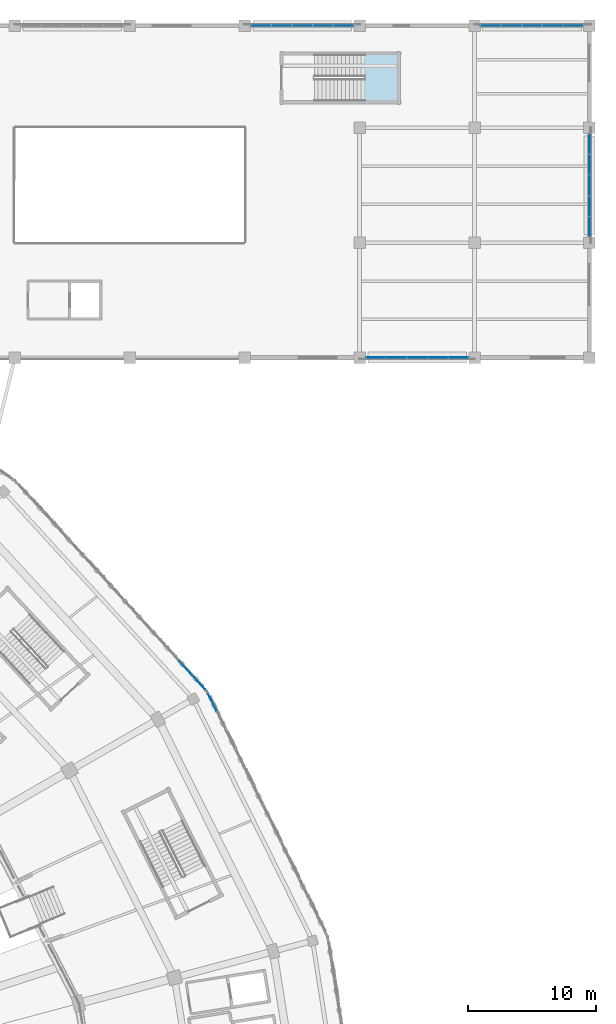
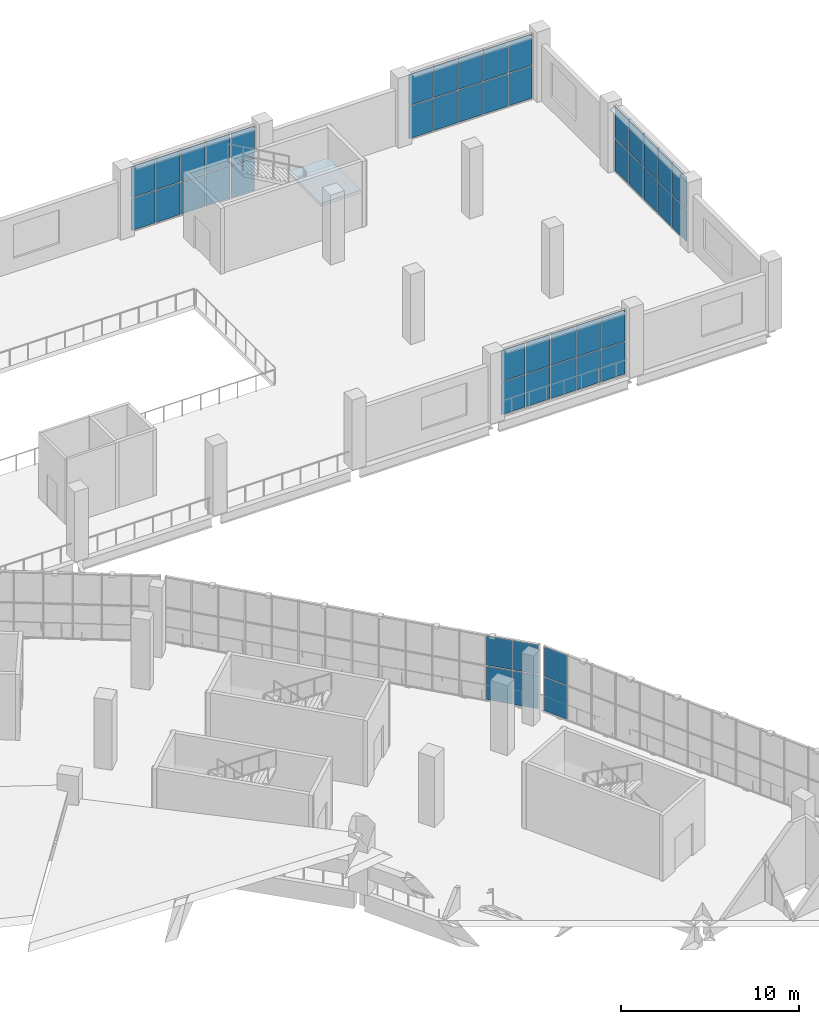
# One storey, part 96 of 183: 46 plates, 1 slab, 7 elements without a shape of their own.
"""IFC4 building model written with IfcOpenShell, lengths in metres."""

from ifc_helpers import new_model, si_unit, direction, frame, origin, origin_2d, place, context, subcontext, project, spatial, polyline, rectangle, outline, extrude, material, layer, layer_set, type_object, element, aggregate, save


model = new_model("IFC4")

# Units and contexts
model_context = context("Model", 3, precision=1e-05, world=origin(), true_north=direction((0.0, 1.0)))
body_context = subcontext(model_context, "Body", "Model", "MODEL_VIEW")
ifc_project = project(units=[si_unit("LENGTHUNIT", "METRE"), si_unit("AREAUNIT", "SQUARE_METRE"), si_unit("VOLUMEUNIT", "CUBIC_METRE"), si_unit("PLANEANGLEUNIT", "RADIAN"), si_unit("MASSUNIT", "GRAM", prefix="KILO")], contexts=[model_context])

# Site, building, storey
site_placement = place(None, origin())
site = spatial("IfcSite", under=ifc_project, at=site_placement, CompositionType="ELEMENT")
building_placement = place(site_placement, origin())
building = spatial("IfcBuilding", under=site, at=building_placement, Name="Zevraka Park Crest Stadium", CompositionType="ELEMENT")
storey_placement = place(building_placement, frame((0.0, 0.0, 5.39990234375)))
storey = spatial("IfcBuildingStorey", under=building, at=storey_placement, Name="L01", CompositionType="ELEMENT", Elevation=5.39990234375)

# Curtain wall, plates
ifc_material_1 = material(Name="Anodised architectural aluminium and laminated safety glass", Category="aluminium")
curtain_wall_type_1 = type_object("IfcCurtainWallType", Name="CW02", PredefinedType="NOTDEFINED", material=ifc_material_1)
curtain_wall_1_placement = place(storey_placement, origin())
curtain_wall_1 = element("IfcCurtainWall", 1, at=curtain_wall_1_placement, inside=storey, type_object=curtain_wall_type_1, Name="Unitised Ring Curtain Wall CW02 L01-01", PredefinedType="NOTDEFINED")
ifc_material_2 = material(Name="Solar-control laminated double glazing", Category="glass")
ifc_layer_1 = layer(ifc_material_2, 0.028076171875)
ifc_layer_set_1 = layer_set([ifc_layer_1], Name="Solar-control laminated double glazing")
plate_type_1 = type_object("IfcPlateType", Name="CP02", PredefinedType="CURTAIN_PANEL", material=ifc_layer_set_1)
plate_1_placement = place(storey_placement, frame((194.45556640625, 130.993896484375, 0.06494140625), z_axis=(0.0, 0.0, 1.0), x_axis=(-0.44151730924, 0.897252732312, 0.0)))
plate_1 = element("IfcPlate", 2, at=plate_1_placement, type_object=plate_type_1, Name="CW02 panel 13.1", PredefinedType="CURTAIN_PANEL", context=body_context, shape_type="SweptSolid", body=[
    extrude(rectangle(XDim=1.531005859375, YDim=0.028076171875, at=origin_2d()), origin(), (0.0, 0.0, 1.0), 2.302490234375),
])
plate_2_placement = place(storey_placement, frame((194.45556640625, 130.993896484375, 2.4326171875), z_axis=(0.0, 0.0, 1.0), x_axis=(-0.44151730924, 0.897252732312, 0.0)))
plate_2 = element("IfcPlate", 3, at=plate_2_placement, type_object=plate_type_1, Name="CW02 panel 13.2", PredefinedType="CURTAIN_PANEL", context=body_context, shape_type="SweptSolid", body=[
    extrude(rectangle(XDim=1.531005859375, YDim=0.028076171875, at=origin_2d()), origin(), (0.0, 0.0, 1.0), 2.0224609375),
])
aggregate(curtain_wall_1, [plate_1, plate_2])

ifc_material_3 = material(Name="Anodised architectural aluminium and laminated safety glass", Category="aluminium")
curtain_wall_type_2 = type_object("IfcCurtainWallType", Name="CW03", PredefinedType="NOTDEFINED", material=ifc_material_3)
curtain_wall_2_placement = place(storey_placement, origin())
curtain_wall_2 = element("IfcCurtainWall", 4, at=curtain_wall_2_placement, inside=storey, type_object=curtain_wall_type_2, Name="Unitised Ring Curtain Wall CW03 L01-02", PredefinedType="NOTDEFINED")
ifc_material_4 = material(Name="Solar-control laminated double glazing", Category="glass")
ifc_layer_2 = layer(ifc_material_4, 0.028076171875)
ifc_layer_set_2 = layer_set([ifc_layer_2], Name="Solar-control laminated double glazing")
plate_type_2 = type_object("IfcPlateType", Name="CP03", PredefinedType="CURTAIN_PANEL", material=ifc_layer_set_2)
plate_3_placement = place(storey_placement, frame((193.40283203125, 132.5458984375, 0.070068359375), z_axis=(0.0, 0.0, 1.0), x_axis=(-0.673679672672, 0.739023476371, 0.0)))
plate_3 = element("IfcPlate", 5, at=plate_3_placement, type_object=plate_type_2, Name="CW03 panel 1.1", PredefinedType="CURTAIN_PANEL", context=body_context, shape_type="SweptSolid", body=[
    extrude(rectangle(XDim=1.472412109375, YDim=0.028076171875, at=origin_2d()), origin(), (0.0, 0.0, 1.0), 2.294921875),
])
plate_4_placement = place(storey_placement, frame((193.40283203125, 132.5458984375, 2.43505859375), z_axis=(0.0, 0.0, 1.0), x_axis=(-0.673679672672, 0.739023476371, 0.0)))
plate_4 = element("IfcPlate", 6, at=plate_4_placement, type_object=plate_type_2, Name="CW03 panel 1.2", PredefinedType="CURTAIN_PANEL", context=body_context, shape_type="SweptSolid", body=[
    extrude(rectangle(XDim=1.472412109375, YDim=0.028076171875, at=origin_2d()), origin(), (0.0, 0.0, 1.0), 2.014892578125),
])
plate_5_placement = place(storey_placement, frame((192.35205078125, 133.698486328125, 0.070068359375), z_axis=(0.0, 0.0, 1.0), x_axis=(-0.673679672672, 0.739023476371, 0.0)))
plate_5 = element("IfcPlate", 7, at=plate_5_placement, type_object=plate_type_2, Name="CW03 panel 2.1", PredefinedType="CURTAIN_PANEL", context=body_context, shape_type="SweptSolid", body=[
    extrude(rectangle(XDim=1.50732421875, YDim=0.028076171875, at=origin_2d()), origin(), (0.0, 0.0, 1.0), 2.294921875),
])
plate_6_placement = place(storey_placement, frame((192.35205078125, 133.698486328125, 2.43505859375), z_axis=(0.0, 0.0, 1.0), x_axis=(-0.673679672672, 0.739023476371, 0.0)))
plate_6 = element("IfcPlate", 8, at=plate_6_placement, type_object=plate_type_2, Name="CW03 panel 2.2", PredefinedType="CURTAIN_PANEL", context=body_context, shape_type="SweptSolid", body=[
    extrude(rectangle(XDim=1.50732421875, YDim=0.028076171875, at=origin_2d()), origin(), (0.0, 0.0, 1.0), 2.014892578125),
])
aggregate(curtain_wall_2, [plate_3, plate_4, plate_5, plate_6])

ifc_material_5 = material(Name="Anodised architectural aluminium and laminated safety glass", Category="aluminium")
curtain_wall_type_3 = type_object("IfcCurtainWallType", Name="CW27", PredefinedType="NOTDEFINED", material=ifc_material_5)
curtain_wall_3_placement = place(storey_placement, origin())
curtain_wall_3 = element("IfcCurtainWall", 9, at=curtain_wall_3_placement, inside=storey, type_object=curtain_wall_type_3, Name="Wing Curtain Wall CW27 L01-NGATE-N-6", PredefinedType="NOTDEFINED")
ifc_material_6 = material(Name="Solar-control laminated double glazing", Category="glass")
ifc_layer_3 = layer(ifc_material_6, 0.035888671875)
ifc_layer_set_3 = layer_set([ifc_layer_3], Name="Solar-control laminated double glazing")
plate_type_3 = type_object("IfcPlateType", Name="CP27", PredefinedType="CURTAIN_PANEL", material=ifc_layer_set_3)
plate_7_placement = place(storey_placement, frame((198.26953125, 184.0, 0.06982421875), z_axis=(0.0, 0.0, 1.0), x_axis=(1.0, 0.0, 0.0)))
plate_7 = element("IfcPlate", 10, at=plate_7_placement, type_object=plate_type_3, Name="CW27 panel 1.1", PredefinedType="CURTAIN_PANEL", context=body_context, shape_type="SweptSolid", body=[
    extrude(rectangle(XDim=1.51904296875, YDim=0.035888671875, at=origin_2d()), origin(), (0.0, 0.0, 1.0), 2.195068359375),
])
plate_8_placement = place(storey_placement, frame((198.26953125, 184.0, 2.3349609375), z_axis=(0.0, 0.0, 1.0), x_axis=(1.0, 0.0, 0.0)))
plate_8 = element("IfcPlate", 11, at=plate_8_placement, type_object=plate_type_3, Name="CW27 panel 1.2", PredefinedType="CURTAIN_PANEL", context=body_context, shape_type="SweptSolid", body=[
    extrude(rectangle(XDim=1.51904296875, YDim=0.035888671875, at=origin_2d()), origin(), (0.0, 0.0, 1.0), 2.114990234375),
])
plate_9_placement = place(storey_placement, frame((199.8759765625, 184.0, 0.06982421875), z_axis=(0.0, 0.0, 1.0), x_axis=(1.0, 0.0, 0.0)))
plate_9 = element("IfcPlate", 12, at=plate_9_placement, type_object=plate_type_3, Name="CW27 panel 2.1", PredefinedType="CURTAIN_PANEL", context=body_context, shape_type="SweptSolid", body=[
    extrude(rectangle(XDim=1.553955078125, YDim=0.035888671875, at=origin_2d()), origin(), (0.0, 0.0, 1.0), 2.195068359375),
])
plate_10_placement = place(storey_placement, frame((199.8759765625, 184.0, 2.3349609375), z_axis=(0.0, 0.0, 1.0), x_axis=(1.0, 0.0, 0.0)))
plate_10 = element("IfcPlate", 13, at=plate_10_placement, type_object=plate_type_3, Name="CW27 panel 2.2", PredefinedType="CURTAIN_PANEL", context=body_context, shape_type="SweptSolid", body=[
    extrude(rectangle(XDim=1.553955078125, YDim=0.035888671875, at=origin_2d()), origin(), (0.0, 0.0, 1.0), 2.114990234375),
])
plate_11_placement = place(storey_placement, frame((201.5, 184.0, 0.06982421875), z_axis=(0.0, 0.0, 1.0), x_axis=(1.0, 0.0, 0.0)))
plate_11 = element("IfcPlate", 14, at=plate_11_placement, type_object=plate_type_3, Name="CW27 panel 3.1", PredefinedType="CURTAIN_PANEL", context=body_context, shape_type="SweptSolid", body=[
    extrude(rectangle(XDim=1.553955078125, YDim=0.035888671875, at=origin_2d()), origin(), (0.0, 0.0, 1.0), 2.195068359375),
])
plate_12_placement = place(storey_placement, frame((201.5, 184.0, 2.3349609375), z_axis=(0.0, 0.0, 1.0), x_axis=(1.0, 0.0, 0.0)))
plate_12 = element("IfcPlate", 15, at=plate_12_placement, type_object=plate_type_3, Name="CW27 panel 3.2", PredefinedType="CURTAIN_PANEL", context=body_context, shape_type="SweptSolid", body=[
    extrude(rectangle(XDim=1.553955078125, YDim=0.035888671875, at=origin_2d()), origin(), (0.0, 0.0, 1.0), 2.114990234375),
])
plate_13_placement = place(storey_placement, frame((203.1240234375, 184.0, 0.06982421875), z_axis=(0.0, 0.0, 1.0), x_axis=(1.0, 0.0, 0.0)))
plate_13 = element("IfcPlate", 16, at=plate_13_placement, type_object=plate_type_3, Name="CW27 panel 4.1", PredefinedType="CURTAIN_PANEL", context=body_context, shape_type="SweptSolid", body=[
    extrude(rectangle(XDim=1.553955078125, YDim=0.035888671875, at=origin_2d()), origin(), (0.0, 0.0, 1.0), 2.195068359375),
])
plate_14_placement = place(storey_placement, frame((203.1240234375, 184.0, 2.3349609375), z_axis=(0.0, 0.0, 1.0), x_axis=(1.0, 0.0, 0.0)))
plate_14 = element("IfcPlate", 17, at=plate_14_placement, type_object=plate_type_3, Name="CW27 panel 4.2", PredefinedType="CURTAIN_PANEL", context=body_context, shape_type="SweptSolid", body=[
    extrude(rectangle(XDim=1.553955078125, YDim=0.035888671875, at=origin_2d()), origin(), (0.0, 0.0, 1.0), 2.114990234375),
])
plate_15_placement = place(storey_placement, frame((204.73046875, 184.0, 0.06982421875), z_axis=(0.0, 0.0, 1.0), x_axis=(1.0, 0.0, 0.0)))
plate_15 = element("IfcPlate", 18, at=plate_15_placement, type_object=plate_type_3, Name="CW27 panel 5.1", PredefinedType="CURTAIN_PANEL", context=body_context, shape_type="SweptSolid", body=[
    extrude(rectangle(XDim=1.51904296875, YDim=0.035888671875, at=origin_2d()), origin(), (0.0, 0.0, 1.0), 2.195068359375),
])
plate_16_placement = place(storey_placement, frame((204.73046875, 184.0, 2.3349609375), z_axis=(0.0, 0.0, 1.0), x_axis=(1.0, 0.0, 0.0)))
plate_16 = element("IfcPlate", 19, at=plate_16_placement, type_object=plate_type_3, Name="CW27 panel 5.2", PredefinedType="CURTAIN_PANEL", context=body_context, shape_type="SweptSolid", body=[
    extrude(rectangle(XDim=1.51904296875, YDim=0.035888671875, at=origin_2d()), origin(), (0.0, 0.0, 1.0), 2.114990234375),
])
aggregate(curtain_wall_3, [plate_7, plate_8, plate_9, plate_10, plate_11, plate_12, plate_13, plate_14, plate_15, plate_16])

ifc_material_7 = material(Name="Anodised architectural aluminium and laminated safety glass", Category="aluminium")
curtain_wall_type_4 = type_object("IfcCurtainWallType", Name="CW28", PredefinedType="NOTDEFINED", material=ifc_material_7)
curtain_wall_4_placement = place(storey_placement, origin())
curtain_wall_4 = element("IfcCurtainWall", 20, at=curtain_wall_4_placement, inside=storey, type_object=curtain_wall_type_4, Name="Wing Curtain Wall CW28 L01-NGATE-E-2", PredefinedType="NOTDEFINED")
ifc_material_8 = material(Name="Solar-control laminated double glazing", Category="glass")
ifc_layer_4 = layer(ifc_material_8, 0.035888671875)
ifc_layer_set_4 = layer_set([ifc_layer_4], Name="Solar-control laminated double glazing")
plate_type_4 = type_object("IfcPlateType", Name="CP28", PredefinedType="CURTAIN_PANEL", material=ifc_layer_set_4)
plate_17_placement = place(storey_placement, frame((224.0, 174.73291015625, 0.06005859375), z_axis=(0.0, 0.0, 1.0), x_axis=(0.0, -1.0, 0.0)))
plate_17 = element("IfcPlate", 21, at=plate_17_placement, type_object=plate_type_4, Name="CW28 panel 1.1", PredefinedType="CURTAIN_PANEL", context=body_context, shape_type="SweptSolid", body=[
    extrude(rectangle(XDim=1.533935546875, YDim=0.035888671875, at=origin_2d()), origin(), (0.0, 0.0, 1.0), 2.2099609375),
])
plate_18_placement = place(storey_placement, frame((224.0, 174.73291015625, 2.330078125), z_axis=(0.0, 0.0, 1.0), x_axis=(0.0, -1.0, 0.0)))
plate_18 = element("IfcPlate", 22, at=plate_18_placement, type_object=plate_type_4, Name="CW28 panel 1.2", PredefinedType="CURTAIN_PANEL", context=body_context, shape_type="SweptSolid", body=[
    extrude(rectangle(XDim=1.533935546875, YDim=0.035888671875, at=origin_2d()), origin(), (0.0, 0.0, 1.0), 2.1298828125),
])
plate_19_placement = place(storey_placement, frame((224.0, 173.1240234375, 0.06005859375), z_axis=(0.0, 0.0, 1.0), x_axis=(0.0, -1.0, 0.0)))
plate_19 = element("IfcPlate", 23, at=plate_19_placement, type_object=plate_type_4, Name="CW28 panel 2.1", PredefinedType="CURTAIN_PANEL", context=body_context, shape_type="SweptSolid", body=[
    extrude(rectangle(XDim=1.56396484375, YDim=0.035888671875, at=origin_2d()), origin(), (0.0, 0.0, 1.0), 2.2099609375),
])
plate_20_placement = place(storey_placement, frame((224.0, 173.1240234375, 2.330078125), z_axis=(0.0, 0.0, 1.0), x_axis=(0.0, -1.0, 0.0)))
plate_20 = element("IfcPlate", 24, at=plate_20_placement, type_object=plate_type_4, Name="CW28 panel 2.2", PredefinedType="CURTAIN_PANEL", context=body_context, shape_type="SweptSolid", body=[
    extrude(rectangle(XDim=1.56396484375, YDim=0.035888671875, at=origin_2d()), origin(), (0.0, 0.0, 1.0), 2.1298828125),
])
plate_21_placement = place(storey_placement, frame((224.0, 171.5, 0.06005859375), z_axis=(0.0, 0.0, 1.0), x_axis=(0.0, -1.0, 0.0)))
plate_21 = element("IfcPlate", 25, at=plate_21_placement, type_object=plate_type_4, Name="CW28 panel 3.1", PredefinedType="CURTAIN_PANEL", context=body_context, shape_type="SweptSolid", body=[
    extrude(rectangle(XDim=1.56396484375, YDim=0.035888671875, at=origin_2d()), origin(), (0.0, 0.0, 1.0), 2.2099609375),
])
plate_22_placement = place(storey_placement, frame((224.0, 171.5, 2.330078125), z_axis=(0.0, 0.0, 1.0), x_axis=(0.0, -1.0, 0.0)))
plate_22 = element("IfcPlate", 26, at=plate_22_placement, type_object=plate_type_4, Name="CW28 panel 3.2", PredefinedType="CURTAIN_PANEL", context=body_context, shape_type="SweptSolid", body=[
    extrude(rectangle(XDim=1.56396484375, YDim=0.035888671875, at=origin_2d()), origin(), (0.0, 0.0, 1.0), 2.1298828125),
])
plate_23_placement = place(storey_placement, frame((224.0, 169.8759765625, 0.06005859375), z_axis=(0.0, 0.0, 1.0), x_axis=(0.0, -1.0, 0.0)))
plate_23 = element("IfcPlate", 27, at=plate_23_placement, type_object=plate_type_4, Name="CW28 panel 4.1", PredefinedType="CURTAIN_PANEL", context=body_context, shape_type="SweptSolid", body=[
    extrude(rectangle(XDim=1.56396484375, YDim=0.035888671875, at=origin_2d()), origin(), (0.0, 0.0, 1.0), 2.2099609375),
])
plate_24_placement = place(storey_placement, frame((224.0, 169.8759765625, 2.330078125), z_axis=(0.0, 0.0, 1.0), x_axis=(0.0, -1.0, 0.0)))
plate_24 = element("IfcPlate", 28, at=plate_24_placement, type_object=plate_type_4, Name="CW28 panel 4.2", PredefinedType="CURTAIN_PANEL", context=body_context, shape_type="SweptSolid", body=[
    extrude(rectangle(XDim=1.56396484375, YDim=0.035888671875, at=origin_2d()), origin(), (0.0, 0.0, 1.0), 2.1298828125),
])
plate_25_placement = place(storey_placement, frame((224.0, 168.26708984375, 0.06005859375), z_axis=(0.0, 0.0, 1.0), x_axis=(0.0, -1.0, 0.0)))
plate_25 = element("IfcPlate", 29, at=plate_25_placement, type_object=plate_type_4, Name="CW28 panel 5.1", PredefinedType="CURTAIN_PANEL", context=body_context, shape_type="SweptSolid", body=[
    extrude(rectangle(XDim=1.533935546875, YDim=0.035888671875, at=origin_2d()), origin(), (0.0, 0.0, 1.0), 2.2099609375),
])
plate_26_placement = place(storey_placement, frame((224.0, 168.26708984375, 2.330078125), z_axis=(0.0, 0.0, 1.0), x_axis=(0.0, -1.0, 0.0)))
plate_26 = element("IfcPlate", 30, at=plate_26_placement, type_object=plate_type_4, Name="CW28 panel 5.2", PredefinedType="CURTAIN_PANEL", context=body_context, shape_type="SweptSolid", body=[
    extrude(rectangle(XDim=1.533935546875, YDim=0.035888671875, at=origin_2d()), origin(), (0.0, 0.0, 1.0), 2.1298828125),
])
aggregate(curtain_wall_4, [plate_17, plate_18, plate_19, plate_20, plate_21, plate_22, plate_23, plate_24, plate_25, plate_26])

curtain_wall_5_placement = place(storey_placement, origin())
curtain_wall_5 = element("IfcCurtainWall", 31, at=curtain_wall_5_placement, inside=storey, type_object=curtain_wall_type_4, Name="Wing Curtain Wall CW28 L01-NGATE-S-2", PredefinedType="NOTDEFINED")
plate_27_placement = place(storey_placement, frame((213.73291015625, 158.0, 0.06005859375), z_axis=(0.0, 0.0, 1.0), x_axis=(-1.0, 0.0, 0.0)))
plate_27 = element("IfcPlate", 32, at=plate_27_placement, type_object=plate_type_4, Name="CW28 panel 1.1", PredefinedType="CURTAIN_PANEL", context=body_context, shape_type="SweptSolid", body=[
    extrude(rectangle(XDim=1.533935546875, YDim=0.035888671875, at=origin_2d()), origin(), (0.0, 0.0, 1.0), 2.2099609375),
])
plate_28_placement = place(storey_placement, frame((213.73291015625, 158.0, 2.330078125), z_axis=(0.0, 0.0, 1.0), x_axis=(-1.0, 0.0, 0.0)))
plate_28 = element("IfcPlate", 33, at=plate_28_placement, type_object=plate_type_4, Name="CW28 panel 1.2", PredefinedType="CURTAIN_PANEL", context=body_context, shape_type="SweptSolid", body=[
    extrude(rectangle(XDim=1.533935546875, YDim=0.035888671875, at=origin_2d()), origin(), (0.0, 0.0, 1.0), 2.1298828125),
])
plate_29_placement = place(storey_placement, frame((212.1240234375, 158.0, 0.06005859375), z_axis=(0.0, 0.0, 1.0), x_axis=(-1.0, 0.0, 0.0)))
plate_29 = element("IfcPlate", 34, at=plate_29_placement, type_object=plate_type_4, Name="CW28 panel 2.1", PredefinedType="CURTAIN_PANEL", context=body_context, shape_type="SweptSolid", body=[
    extrude(rectangle(XDim=1.56396484375, YDim=0.035888671875, at=origin_2d()), origin(), (0.0, 0.0, 1.0), 2.2099609375),
])
plate_30_placement = place(storey_placement, frame((212.1240234375, 158.0, 2.330078125), z_axis=(0.0, 0.0, 1.0), x_axis=(-1.0, 0.0, 0.0)))
plate_30 = element("IfcPlate", 35, at=plate_30_placement, type_object=plate_type_4, Name="CW28 panel 2.2", PredefinedType="CURTAIN_PANEL", context=body_context, shape_type="SweptSolid", body=[
    extrude(rectangle(XDim=1.56396484375, YDim=0.035888671875, at=origin_2d()), origin(), (0.0, 0.0, 1.0), 2.1298828125),
])
plate_31_placement = place(storey_placement, frame((210.5, 158.0, 0.06005859375), z_axis=(0.0, 0.0, 1.0), x_axis=(-1.0, 0.0, 0.0)))
plate_31 = element("IfcPlate", 36, at=plate_31_placement, type_object=plate_type_4, Name="CW28 panel 3.1", PredefinedType="CURTAIN_PANEL", context=body_context, shape_type="SweptSolid", body=[
    extrude(rectangle(XDim=1.56396484375, YDim=0.035888671875, at=origin_2d()), origin(), (0.0, 0.0, 1.0), 2.2099609375),
])
plate_32_placement = place(storey_placement, frame((210.5, 158.0, 2.330078125), z_axis=(0.0, 0.0, 1.0), x_axis=(-1.0, 0.0, 0.0)))
plate_32 = element("IfcPlate", 37, at=plate_32_placement, type_object=plate_type_4, Name="CW28 panel 3.2", PredefinedType="CURTAIN_PANEL", context=body_context, shape_type="SweptSolid", body=[
    extrude(rectangle(XDim=1.56396484375, YDim=0.035888671875, at=origin_2d()), origin(), (0.0, 0.0, 1.0), 2.1298828125),
])
plate_33_placement = place(storey_placement, frame((208.8759765625, 158.0, 0.06005859375), z_axis=(0.0, 0.0, 1.0), x_axis=(-1.0, 0.0, 0.0)))
plate_33 = element("IfcPlate", 38, at=plate_33_placement, type_object=plate_type_4, Name="CW28 panel 4.1", PredefinedType="CURTAIN_PANEL", context=body_context, shape_type="SweptSolid", body=[
    extrude(rectangle(XDim=1.56396484375, YDim=0.035888671875, at=origin_2d()), origin(), (0.0, 0.0, 1.0), 2.2099609375),
])
plate_34_placement = place(storey_placement, frame((208.8759765625, 158.0, 2.330078125), z_axis=(0.0, 0.0, 1.0), x_axis=(-1.0, 0.0, 0.0)))
plate_34 = element("IfcPlate", 39, at=plate_34_placement, type_object=plate_type_4, Name="CW28 panel 4.2", PredefinedType="CURTAIN_PANEL", context=body_context, shape_type="SweptSolid", body=[
    extrude(rectangle(XDim=1.56396484375, YDim=0.035888671875, at=origin_2d()), origin(), (0.0, 0.0, 1.0), 2.1298828125),
])
plate_35_placement = place(storey_placement, frame((207.26708984375, 158.0, 0.06005859375), z_axis=(0.0, 0.0, 1.0), x_axis=(-1.0, 0.0, 0.0)))
plate_35 = element("IfcPlate", 40, at=plate_35_placement, type_object=plate_type_4, Name="CW28 panel 5.1", PredefinedType="CURTAIN_PANEL", context=body_context, shape_type="SweptSolid", body=[
    extrude(rectangle(XDim=1.533935546875, YDim=0.035888671875, at=origin_2d()), origin(), (0.0, 0.0, 1.0), 2.2099609375),
])
plate_36_placement = place(storey_placement, frame((207.26708984375, 158.0, 2.330078125), z_axis=(0.0, 0.0, 1.0), x_axis=(-1.0, 0.0, 0.0)))
plate_36 = element("IfcPlate", 41, at=plate_36_placement, type_object=plate_type_4, Name="CW28 panel 5.2", PredefinedType="CURTAIN_PANEL", context=body_context, shape_type="SweptSolid", body=[
    extrude(rectangle(XDim=1.533935546875, YDim=0.035888671875, at=origin_2d()), origin(), (0.0, 0.0, 1.0), 2.1298828125),
])
aggregate(curtain_wall_5, [plate_27, plate_28, plate_29, plate_30, plate_31, plate_32, plate_33, plate_34, plate_35, plate_36])

ifc_material_9 = material(Name="Anodised architectural aluminium and laminated safety glass", Category="aluminium")
curtain_wall_type_5 = type_object("IfcCurtainWallType", Name="CW29", PredefinedType="NOTDEFINED", material=ifc_material_9)
curtain_wall_6_placement = place(storey_placement, origin())
curtain_wall_6 = element("IfcCurtainWall", 42, at=curtain_wall_6_placement, inside=storey, type_object=curtain_wall_type_5, Name="Wing Curtain Wall CW29 L01-NGATE-N-8", PredefinedType="NOTDEFINED")
ifc_material_10 = material(Name="Solar-control laminated double glazing", Category="glass")
ifc_layer_5 = layer(ifc_material_10, 0.035888671875)
ifc_layer_set_5 = layer_set([ifc_layer_5], Name="Solar-control laminated double glazing")
plate_type_5 = type_object("IfcPlateType", Name="CP29", PredefinedType="CURTAIN_PANEL", material=ifc_layer_set_5)
plate_37_placement = place(storey_placement, frame((216.268310546875, 184.0, 0.06494140625), z_axis=(0.0, 0.0, 1.0), x_axis=(1.0, 0.0, 0.0)))
plate_37 = element("IfcPlate", 43, at=plate_37_placement, type_object=plate_type_5, Name="CW29 panel 1.1", PredefinedType="CURTAIN_PANEL", context=body_context, shape_type="SweptSolid", body=[
    extrude(rectangle(XDim=1.526611328125, YDim=0.035888671875, at=origin_2d()), origin(), (0.0, 0.0, 1.0), 2.202392578125),
])
plate_38_placement = place(storey_placement, frame((216.268310546875, 184.0, 2.33251953125), z_axis=(0.0, 0.0, 1.0), x_axis=(1.0, 0.0, 0.0)))
plate_38 = element("IfcPlate", 44, at=plate_38_placement, type_object=plate_type_5, Name="CW29 panel 1.2", PredefinedType="CURTAIN_PANEL", context=body_context, shape_type="SweptSolid", body=[
    extrude(rectangle(XDim=1.526611328125, YDim=0.035888671875, at=origin_2d()), origin(), (0.0, 0.0, 1.0), 2.12255859375),
])
plate_39_placement = place(storey_placement, frame((217.8759765625, 184.0, 0.06494140625), z_axis=(0.0, 0.0, 1.0), x_axis=(1.0, 0.0, 0.0)))
plate_39 = element("IfcPlate", 45, at=plate_39_placement, type_object=plate_type_5, Name="CW29 panel 2.1", PredefinedType="CURTAIN_PANEL", context=body_context, shape_type="SweptSolid", body=[
    extrude(rectangle(XDim=1.55908203125, YDim=0.035888671875, at=origin_2d()), origin(), (0.0, 0.0, 1.0), 2.202392578125),
])
plate_40_placement = place(storey_placement, frame((217.8759765625, 184.0, 2.33251953125), z_axis=(0.0, 0.0, 1.0), x_axis=(1.0, 0.0, 0.0)))
plate_40 = element("IfcPlate", 46, at=plate_40_placement, type_object=plate_type_5, Name="CW29 panel 2.2", PredefinedType="CURTAIN_PANEL", context=body_context, shape_type="SweptSolid", body=[
    extrude(rectangle(XDim=1.55908203125, YDim=0.035888671875, at=origin_2d()), origin(), (0.0, 0.0, 1.0), 2.12255859375),
])
plate_41_placement = place(storey_placement, frame((219.5, 184.0, 0.06494140625), z_axis=(0.0, 0.0, 1.0), x_axis=(1.0, 0.0, 0.0)))
plate_41 = element("IfcPlate", 47, at=plate_41_placement, type_object=plate_type_5, Name="CW29 panel 3.1", PredefinedType="CURTAIN_PANEL", context=body_context, shape_type="SweptSolid", body=[
    extrude(rectangle(XDim=1.55908203125, YDim=0.035888671875, at=origin_2d()), origin(), (0.0, 0.0, 1.0), 2.202392578125),
])
plate_42_placement = place(storey_placement, frame((219.5, 184.0, 2.33251953125), z_axis=(0.0, 0.0, 1.0), x_axis=(1.0, 0.0, 0.0)))
plate_42 = element("IfcPlate", 48, at=plate_42_placement, type_object=plate_type_5, Name="CW29 panel 3.2", PredefinedType="CURTAIN_PANEL", context=body_context, shape_type="SweptSolid", body=[
    extrude(rectangle(XDim=1.55908203125, YDim=0.035888671875, at=origin_2d()), origin(), (0.0, 0.0, 1.0), 2.12255859375),
])
plate_43_placement = place(storey_placement, frame((221.1240234375, 184.0, 0.06494140625), z_axis=(0.0, 0.0, 1.0), x_axis=(1.0, 0.0, 0.0)))
plate_43 = element("IfcPlate", 49, at=plate_43_placement, type_object=plate_type_5, Name="CW29 panel 4.1", PredefinedType="CURTAIN_PANEL", context=body_context, shape_type="SweptSolid", body=[
    extrude(rectangle(XDim=1.55908203125, YDim=0.035888671875, at=origin_2d()), origin(), (0.0, 0.0, 1.0), 2.202392578125),
])
plate_44_placement = place(storey_placement, frame((221.1240234375, 184.0, 2.33251953125), z_axis=(0.0, 0.0, 1.0), x_axis=(1.0, 0.0, 0.0)))
plate_44 = element("IfcPlate", 50, at=plate_44_placement, type_object=plate_type_5, Name="CW29 panel 4.2", PredefinedType="CURTAIN_PANEL", context=body_context, shape_type="SweptSolid", body=[
    extrude(rectangle(XDim=1.55908203125, YDim=0.035888671875, at=origin_2d()), origin(), (0.0, 0.0, 1.0), 2.12255859375),
])
plate_45_placement = place(storey_placement, frame((222.731689453125, 184.0, 0.06494140625), z_axis=(0.0, 0.0, 1.0), x_axis=(1.0, 0.0, 0.0)))
plate_45 = element("IfcPlate", 51, at=plate_45_placement, type_object=plate_type_5, Name="CW29 panel 5.1", PredefinedType="CURTAIN_PANEL", context=body_context, shape_type="SweptSolid", body=[
    extrude(rectangle(XDim=1.526611328125, YDim=0.035888671875, at=origin_2d()), origin(), (0.0, 0.0, 1.0), 2.202392578125),
])
plate_46_placement = place(storey_placement, frame((222.731689453125, 184.0, 2.33251953125), z_axis=(0.0, 0.0, 1.0), x_axis=(1.0, 0.0, 0.0)))
plate_46 = element("IfcPlate", 52, at=plate_46_placement, type_object=plate_type_5, Name="CW29 panel 5.2", PredefinedType="CURTAIN_PANEL", context=body_context, shape_type="SweptSolid", body=[
    extrude(rectangle(XDim=1.526611328125, YDim=0.035888671875, at=origin_2d()), origin(), (0.0, 0.0, 1.0), 2.12255859375),
])
aggregate(curtain_wall_6, [plate_37, plate_38, plate_39, plate_40, plate_41, plate_42, plate_43, plate_44, plate_45, plate_46])

# Stair, slab
ifc_material_11 = material(Name="Concrete C35/45", Category="concrete")
stair_type = type_object("IfcStairType", Name="STC2", PredefinedType="HALF_TURN_STAIR", material=ifc_material_11)
stair_placement = place(storey_placement, origin())
stair = element("IfcStair", 53, at=stair_placement, inside=storey, type_object=stair_type, Name="L01 North Gate Pavilion East Stair ST45", PredefinedType="HALF_TURN_STAIR")
ifc_material_12 = material(Name="Concrete C35/45", Category="concrete")
ifc_layer_6 = layer(ifc_material_12, 0.199951171875)
ifc_layer_set_6 = layer_set([ifc_layer_6], Name="Concrete C35/45")
slab_type = type_object("IfcSlabType", Name="LS01", PredefinedType="LANDING", material=ifc_layer_set_6)
slab_placement = place(storey_placement, frame((0.0, 0.0, 2.2001953125)))
slab = element("IfcSlab", 54, at=slab_placement, type_object=slab_type, Name="ST45 landing 1", PredefinedType="LANDING", context=body_context, shape_type="SweptSolid", body=[
    extrude(outline(polyline([(206.389892578125, 178.090087890625), (209.0, 178.090087890625), (209.0, 181.75), (206.389892578125, 181.75), (206.389892578125, 178.090087890625)])), origin(), (0.0, 0.0, 1.0), 0.199951171875),
])
aggregate(stair, [slab])

save(model, "model.ifc")
